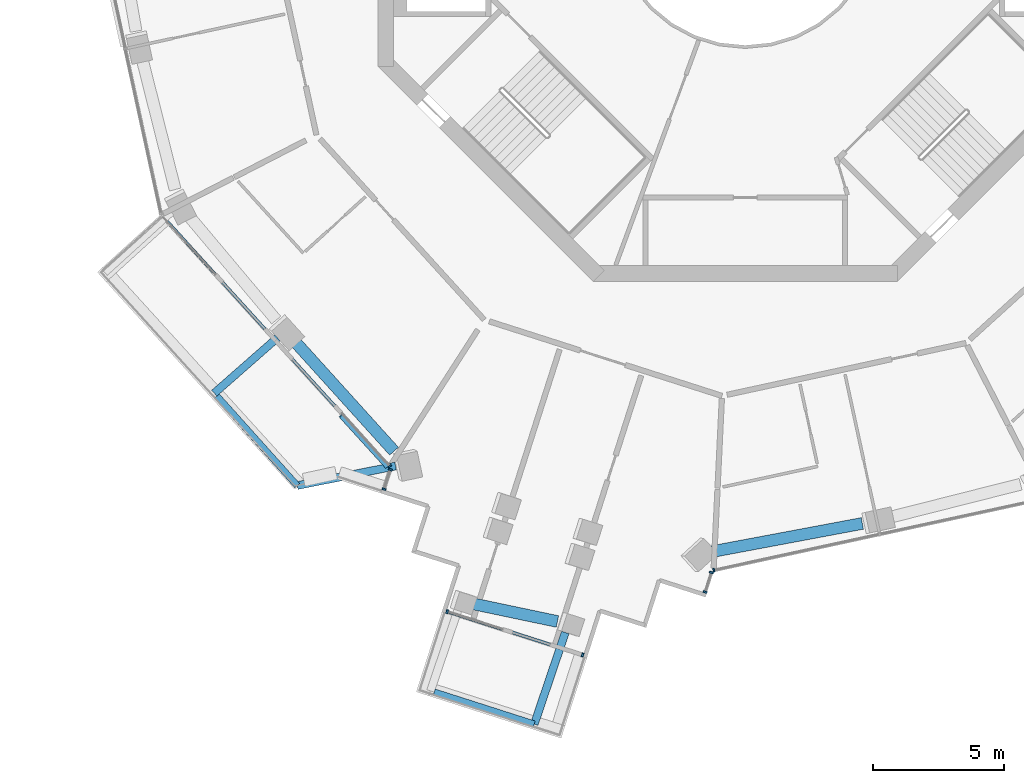
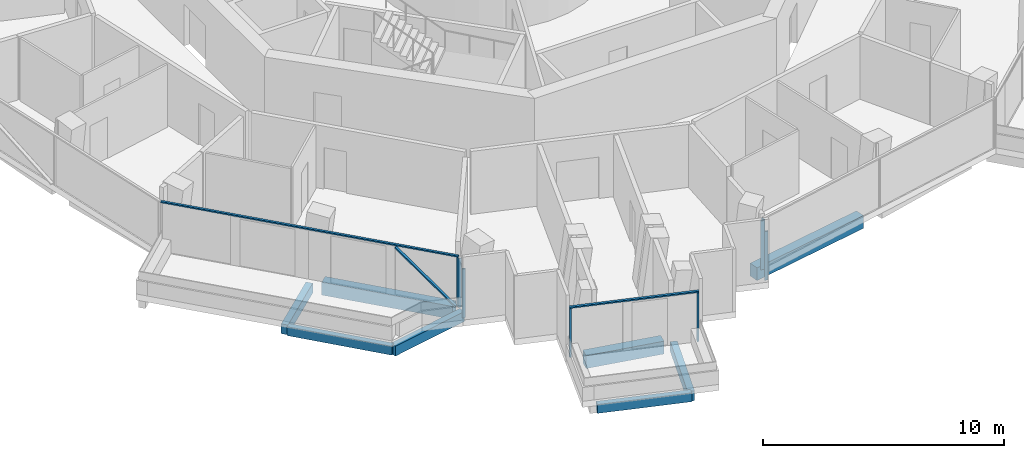
# One storey, part 2 of 23: 11 members, 8 beams, 5 elements without a shape of their own.
"""IFC4 building model written with IfcOpenShell, lengths in metres."""

from ifc_helpers import new_model, si_unit, direction, frame, origin, origin_2d, place, context, subcontext, project, spatial, rectangle, extrude, material, layer, layer_set, material_profile, profile_set, type_object, element, aggregate, save


model = new_model("IFC4")

# Units and contexts
model_context = context("Model", 3, precision=1e-05, world=origin(), true_north=direction((0.0, 1.0)))
body_context = subcontext(model_context, "Body", "Model", "MODEL_VIEW")
ifc_project = project(units=[si_unit("LENGTHUNIT", "METRE"), si_unit("AREAUNIT", "SQUARE_METRE"), si_unit("VOLUMEUNIT", "CUBIC_METRE"), si_unit("PLANEANGLEUNIT", "RADIAN"), si_unit("MASSUNIT", "GRAM", prefix="KILO")], contexts=[model_context])

# Site, building, storey
site_placement = place(None, origin())
site = spatial("IfcSite", under=ifc_project, at=site_placement, CompositionType="ELEMENT")
building_placement = place(site_placement, origin())
building = spatial("IfcBuilding", under=site, at=building_placement, Name="Verdalira Terraces Hotel", CompositionType="ELEMENT")
storey_placement = place(building_placement, frame((0.0, 0.0, 205.5)))
storey = spatial("IfcBuildingStorey", under=building, at=storey_placement, Name="L50", CompositionType="ELEMENT", Elevation=205.5)

# Beams
ifc_material_1 = material(Name="Concrete C40", Category="concrete")
ifc_material_profile_1 = material_profile(ifc_material_1, rectangle(XDim=0.300049, YDim=0.5, at=origin_2d()), Name="RC 300X500")
ifc_profile_set_1 = profile_set([ifc_material_profile_1], Name="Concrete C40")
beam_type_1 = type_object("IfcBeamType", Name="Balcony cantilever beam RC 300X500 C40", PredefinedType="BEAM", material=ifc_profile_set_1)
beam_1_placement = place(storey_placement, frame((-17.833984, -16.147461, -0.560059), z_axis=(-0.751460517, -0.659778062, 0.0), x_axis=(0.659778062, -0.751460517, 0.0)))
element("IfcBeam", 1, at=beam_1_placement, inside=storey, type_object=beam_type_1, Name="Balcony cantilever beam R13-1", PredefinedType="BEAM", context=body_context, shape_type="SweptSolid", body=[
    extrude(rectangle(XDim=0.300049, YDim=0.5, at=origin_2d()), origin(), (0.0, 0.0, 1.0), 3.200684),
])
beam_2_placement = place(storey_placement, frame((-13.329102, -21.035889, -0.560059), z_axis=(-0.980688618, -0.195575651, 0.0), x_axis=(0.195575651, -0.980688618, 0.0)))
element("IfcBeam", 2, at=beam_2_placement, inside=storey, type_object=beam_type_1, Name="Balcony cantilever beam R13-2", PredefinedType="BEAM", context=body_context, shape_type="SweptSolid", body=[
    extrude(rectangle(XDim=0.300049, YDim=0.5, at=origin_2d()), origin(), (0.0, 0.0, 1.0), 3.822266),
])
beam_3_placement = place(storey_placement, frame((-6.857666, -27.383301, -0.560059), z_axis=(-0.320929608, -0.94710305, 0.0), x_axis=(0.94710305, -0.320929608, 0.0)))
element("IfcBeam", 3, at=beam_3_placement, inside=storey, type_object=beam_type_1, Name="Balcony cantilever beam R19-2", PredefinedType="BEAM", context=body_context, shape_type="SweptSolid", body=[
    extrude(rectangle(XDim=0.300049, YDim=0.5, at=origin_2d()), origin(), (0.0, 0.0, 1.0), 3.688721),
])
ifc_material_2 = material(Name="Concrete C40", Category="concrete")
ifc_material_profile_2 = material_profile(ifc_material_2, rectangle(XDim=0.25, YDim=0.449951, at=origin_2d()), Name="RC 250X450")
ifc_profile_set_2 = profile_set([ifc_material_profile_2], Name="Concrete C40")
beam_type_2 = type_object("IfcBeamType", Name="Balcony edge beam RC 250X450 C40", PredefinedType="BEAM", material=ifc_profile_set_2)
beam_4_placement = place(storey_placement, frame((-20.13916, -18.37085, -0.534912), z_axis=(0.667781159, -0.744357659, 0.0), x_axis=(0.744357659, 0.667781159, 0.0)))
element("IfcBeam", 4, at=beam_4_placement, inside=storey, type_object=beam_type_2, Name="Balcony edge beam R13-1", PredefinedType="BEAM", context=body_context, shape_type="SweptSolid", body=[
    extrude(rectangle(XDim=0.25, YDim=0.449951, at=origin_2d()), origin(), (0.0, 0.0, 1.0), 4.584717),
])
beam_5_placement = place(storey_placement, frame((-11.85376, -29.656006, -0.534912), z_axis=(0.952349763, -0.30500808, 0.0), x_axis=(0.30500808, 0.952349763, 0.0)))
element("IfcBeam", 5, at=beam_5_placement, inside=storey, type_object=beam_type_2, Name="Balcony edge beam R19-1", PredefinedType="BEAM", context=body_context, shape_type="SweptSolid", body=[
    extrude(rectangle(XDim=0.25, YDim=0.449951, at=origin_2d()), origin(), (0.0, 0.0, 1.0), 4.00293),
])

# Curtain wall, member
ifc_material_3 = material(Name="Clear glass", Category="glass")
ifc_layer_1 = layer(ifc_material_3, 0.14990234375)
ifc_layer_set_1 = layer_set([ifc_layer_1], Name="CW1 curtain wall")
curtain_wall_type_1 = type_object("IfcCurtainWallType", Name="CW1 curtain wall", PredefinedType="NOTDEFINED", material=ifc_layer_set_1)
curtain_wall_1_placement = place(storey_placement, origin())
curtain_wall_1 = element("IfcCurtainWall", 6, at=curtain_wall_1_placement, inside=storey, type_object=curtain_wall_type_1, Name="CW1 curtain wall L50 edge 13", PredefinedType="NOTDEFINED")
ifc_material_4 = material(Name="Terracotta frame", Category="masonry")
ifc_material_profile_3 = material_profile(ifc_material_4, rectangle(XDim=0.060059, YDim=0.149902, at=origin_2d()), Name="MU 60x150")
ifc_profile_set_3 = profile_set([ifc_material_profile_3], Name="Terracotta frame")
member_type_1 = type_object("IfcMemberType", Name="CW1 mullion 60x150", PredefinedType="MULLION", material=ifc_profile_set_3)
member_1_placement = place(storey_placement, frame((-13.554443, -21.046875, 0.0), z_axis=(0.0, 0.0, 1.0), x_axis=(0.672237605, -0.740335466, 0.0)))
member_1 = element("IfcMember", 7, at=member_1_placement, type_object=member_type_1, Name="CW1 mullion", PredefinedType="MULLION", context=body_context, shape_type="SweptSolid", body=[
    extrude(rectangle(XDim=0.060059, YDim=0.149902, at=origin_2d()), origin(), (0.0, 0.0, 1.0), 2.475098),
])

curtain_wall_2_placement = place(storey_placement, origin())
curtain_wall_2 = element("IfcCurtainWall", 8, at=curtain_wall_2_placement, inside=storey, type_object=curtain_wall_type_1, Name="CW1 curtain wall L50 edge 25", PredefinedType="NOTDEFINED")
member_2_placement = place(storey_placement, frame((-1.195801, -25.005371, 0.0), z_axis=(0.0, 0.0, 1.0), x_axis=(0.977268124, 0.21200711, 0.0)))
member_2 = element("IfcMember", 9, at=member_2_placement, type_object=member_type_1, Name="CW1 mullion", PredefinedType="MULLION", context=body_context, shape_type="SweptSolid", body=[
    extrude(rectangle(XDim=0.060059, YDim=0.149902, at=origin_2d()), origin(), (0.0, 0.0, 1.0), 2.475098),
])
aggregate(curtain_wall_2, [member_2])

# Member
ifc_material_5 = material(Name="Terracotta frame", Category="masonry")
ifc_material_profile_4 = material_profile(ifc_material_5, rectangle(XDim=0.110107, YDim=0.064941, at=origin_2d()), Name="TR 65x110")
ifc_profile_set_4 = profile_set([ifc_material_profile_4], Name="Terracotta frame")
member_type_2 = type_object("IfcMemberType", Name="CW1 transom 65x110", PredefinedType="USERDEFINED", material=ifc_profile_set_4)
member_3_placement = place(storey_placement, frame((-22.246338, -11.474609, 2.507568), z_axis=(0.672246049, -0.740327799, 0.0), x_axis=(0.740327799, 0.672246049, 0.0)))
member_3 = element("IfcMember", 10, at=member_3_placement, type_object=member_type_2, Name="CW1 transom", ObjectType="TRANSOM", PredefinedType="USERDEFINED", context=body_context, shape_type="SweptSolid", body=[
    extrude(rectangle(XDim=0.110107, YDim=0.064941, at=origin_2d()), origin(), (0.0, 0.0, 1.0), 12.959717),
])

# Curtain wall, members
ifc_material_6 = material(Name="Clear glass", Category="glass")
ifc_layer_2 = layer(ifc_material_6, 0.14990234375)
ifc_layer_set_2 = layer_set([ifc_layer_2], Name="CW2 curtain wall")
curtain_wall_type_2 = type_object("IfcCurtainWallType", Name="CW2 curtain wall", PredefinedType="NOTDEFINED", material=ifc_layer_set_2)
curtain_wall_3_placement = place(storey_placement, origin())
curtain_wall_3 = element("IfcCurtainWall", 11, at=curtain_wall_3_placement, inside=storey, type_object=curtain_wall_type_2, Name="CW2 curtain wall L50 edge 14", PredefinedType="NOTDEFINED")
ifc_material_7 = material(Name="Terracotta frame", Category="masonry")
ifc_material_profile_5 = material_profile(ifc_material_7, rectangle(XDim=0.070068, YDim=0.149902, at=origin_2d()), Name="MU 70x150")
ifc_profile_set_5 = profile_set([ifc_material_profile_5], Name="Terracotta frame")
member_type_3 = type_object("IfcMemberType", Name="CW2 mullion 70x150", PredefinedType="MULLION", material=ifc_profile_set_5)
member_4_placement = place(storey_placement, frame((-13.529053, -21.175781, 0.0), z_axis=(0.0, 0.0, 1.0), x_axis=(-0.305030519, -0.952342576, 0.0)))
member_4 = element("IfcMember", 12, at=member_4_placement, type_object=member_type_3, Name="CW2 mullion", PredefinedType="MULLION", context=body_context, shape_type="SweptSolid", body=[
    extrude(rectangle(XDim=0.070068, YDim=0.149902, at=origin_2d()), origin(), (0.0, 0.0, 1.0), 2.475098),
])
member_5_placement = place(storey_placement, frame((-13.766846, -21.918457, 0.0), z_axis=(0.0, 0.0, 1.0), x_axis=(-0.305030519, -0.952342576, 0.0)))
member_5 = element("IfcMember", 13, at=member_5_placement, type_object=member_type_3, Name="CW2 mullion", PredefinedType="MULLION", context=body_context, shape_type="SweptSolid", body=[
    extrude(rectangle(XDim=0.070068, YDim=0.149902, at=origin_2d()), origin(), (0.0, 0.0, 1.0), 2.475098),
])
aggregate(curtain_wall_3, [member_4, member_5])

curtain_wall_4_placement = place(storey_placement, origin())
curtain_wall_4 = element("IfcCurtainWall", 14, at=curtain_wall_4_placement, inside=storey, type_object=curtain_wall_type_2, Name="CW2 curtain wall L50 edge 24", PredefinedType="NOTDEFINED")
member_6_placement = place(storey_placement, frame((-1.529297, -25.838135, 0.0), z_axis=(0.0, 0.0, 1.0), x_axis=(0.305030519, 0.952342576, 0.0)))
member_6 = element("IfcMember", 15, at=member_6_placement, type_object=member_type_3, Name="CW2 mullion", PredefinedType="MULLION", context=body_context, shape_type="SweptSolid", body=[
    extrude(rectangle(XDim=0.070068, YDim=0.149902, at=origin_2d()), origin(), (0.0, 0.0, 1.0), 2.475098),
])
member_7_placement = place(storey_placement, frame((-1.291504, -25.095459, 0.0), z_axis=(0.0, 0.0, 1.0), x_axis=(0.305030519, 0.952342576, 0.0)))
member_7 = element("IfcMember", 16, at=member_7_placement, type_object=member_type_3, Name="CW2 mullion", PredefinedType="MULLION", context=body_context, shape_type="SweptSolid", body=[
    extrude(rectangle(XDim=0.070068, YDim=0.149902, at=origin_2d()), origin(), (0.0, 0.0, 1.0), 2.475098),
])
aggregate(curtain_wall_4, [member_6, member_7])

ifc_material_8 = material(Name="Clear glass", Category="glass")
ifc_layer_3 = layer(ifc_material_8, 0.14990234375)
ifc_layer_set_3 = layer_set([ifc_layer_3], Name="CW3 curtain wall")
curtain_wall_type_3 = type_object("IfcCurtainWallType", Name="CW3 curtain wall", PredefinedType="NOTDEFINED", material=ifc_layer_set_3)
curtain_wall_5_placement = place(storey_placement, origin())
curtain_wall_5 = element("IfcCurtainWall", 17, at=curtain_wall_5_placement, inside=storey, type_object=curtain_wall_type_3, Name="CW3 curtain wall L50 edge 19", PredefinedType="NOTDEFINED")
ifc_material_9 = material(Name="Terracotta frame", Category="masonry")
ifc_material_profile_6 = material_profile(ifc_material_9, rectangle(XDim=0.080078, YDim=0.149902, at=origin_2d()), Name="MU 80x150")
ifc_profile_set_6 = profile_set([ifc_material_profile_6], Name="Terracotta frame")
member_type_4 = type_object("IfcMemberType", Name="CW3 mullion 80x150", PredefinedType="MULLION", material=ifc_profile_set_6)
member_8_placement = place(storey_placement, frame((-11.360596, -26.584961, 0.0), z_axis=(0.0, 0.0, 1.0), x_axis=(0.952342576, -0.305030519, 0.0)))
member_8 = element("IfcMember", 18, at=member_8_placement, type_object=member_type_4, Name="CW3 mullion", PredefinedType="MULLION", context=body_context, shape_type="SweptSolid", body=[
    extrude(rectangle(XDim=0.080078, YDim=0.149902, at=origin_2d()), origin(), (0.0, 0.0, 1.0), 2.475098),
])
member_9_placement = place(storey_placement, frame((-6.198975, -28.238281, 0.0), z_axis=(0.0, 0.0, 1.0), x_axis=(0.952342576, -0.305030519, 0.0)))
member_9 = element("IfcMember", 19, at=member_9_placement, type_object=member_type_4, Name="CW3 mullion", PredefinedType="MULLION", context=body_context, shape_type="SweptSolid", body=[
    extrude(rectangle(XDim=0.080078, YDim=0.149902, at=origin_2d()), origin(), (0.0, 0.0, 1.0), 2.475098),
])
ifc_material_10 = material(Name="Terracotta frame", Category="masonry")
ifc_material_profile_7 = material_profile(ifc_material_10, rectangle(XDim=0.120117, YDim=0.064941, at=origin_2d()), Name="TR 65x120")
ifc_profile_set_7 = profile_set([ifc_material_profile_7], Name="Terracotta frame")
member_type_5 = type_object("IfcMemberType", Name="CW3 transom 65x120", PredefinedType="USERDEFINED", material=ifc_profile_set_7)
member_10_placement = place(storey_placement, frame((-11.398682, -26.572754, 2.507568), z_axis=(0.95233752, -0.305046305, 0.0), x_axis=(0.305046305, 0.95233752, 0.0)))
member_10 = element("IfcMember", 20, at=member_10_placement, type_object=member_type_5, Name="CW3 transom", ObjectType="TRANSOM", PredefinedType="USERDEFINED", context=body_context, shape_type="SweptSolid", body=[
    extrude(rectangle(XDim=0.120117, YDim=0.064941, at=origin_2d()), origin(), (0.0, 0.0, 1.0), 5.5),
])
aggregate(curtain_wall_5, [member_8, member_9, member_10])

# Member
ifc_material_11 = material(Name="Terracotta frame", Category="masonry")
ifc_material_profile_8 = material_profile(ifc_material_11, rectangle(XDim=0.149902, YDim=0.060059, at=origin_2d()), Name="GB 60x150")
ifc_profile_set_8 = profile_set([ifc_material_profile_8], Name="Terracotta frame")
member_type_6 = type_object("IfcMemberType", Name="Diagonal glazing bar 60x150", PredefinedType="USERDEFINED", material=ifc_profile_set_8)
member_11_placement = place(storey_placement, frame((-15.424072, -19.120117, 2.45166), z_axis=(0.493735077, -0.543749977, -0.678646916), x_axis=(0.740335094, 0.672238015, 0.0)))
member_11 = element("IfcMember", 21, at=member_11_placement, type_object=member_type_6, Name="Diagonal glazing bar", ObjectType="GLAZING BAR", PredefinedType="USERDEFINED", context=body_context, shape_type="SweptSolid", body=[
    extrude(rectangle(XDim=0.149902, YDim=0.060059, at=origin_2d()), origin(), (0.0, 0.0, 1.0), 3.578125),
])

aggregate(curtain_wall_1, [member_1, member_3, member_11])

# Beams
ifc_material_12 = material(Name="Concrete C50", Category="concrete")
ifc_material_profile_9 = material_profile(ifc_material_12, rectangle(XDim=0.449951, YDim=0.649902, at=origin_2d()), Name="RC 450X650")
ifc_profile_set_9 = profile_set([ifc_material_profile_9], Name="Concrete C50")
beam_type_3 = type_object("IfcBeamType", Name="Spandrel beam RC 450X650 C50", PredefinedType="SPANDREL", material=ifc_profile_set_9)
beam_6_placement = place(storey_placement, frame((-17.213379, -16.237549, -0.63501), z_axis=(0.670502084, -0.741907646, 0.0), x_axis=(0.741907646, 0.670502084, 0.0)))
element("IfcBeam", 22, at=beam_6_placement, inside=storey, type_object=beam_type_3, Name="Spandrel beam B09", PredefinedType="SPANDREL", context=body_context, shape_type="SweptSolid", body=[
    extrude(rectangle(XDim=0.449951, YDim=0.649902, at=origin_2d()), origin(), (0.0, 0.0, 1.0), 5.706543),
])
beam_7_placement = place(storey_placement, frame((-10.490723, -26.263916, -0.63501), z_axis=(0.978666043, -0.205457479, 0.0), x_axis=(0.205457479, 0.978666043, 0.0)))
element("IfcBeam", 23, at=beam_7_placement, inside=storey, type_object=beam_type_3, Name="Spandrel beam B10", PredefinedType="SPANDREL", context=body_context, shape_type="SweptSolid", body=[
    extrude(rectangle(XDim=0.449951, YDim=0.649902, at=origin_2d()), origin(), (0.0, 0.0, 1.0), 3.404297),
])
beam_8_placement = place(storey_placement, frame((-1.249268, -24.296387, -0.63501), z_axis=(0.982869335, 0.184303747, 0.0), x_axis=(-0.184303747, 0.982869335, 0.0)))
element("IfcBeam", 24, at=beam_8_placement, inside=storey, type_object=beam_type_3, Name="Spandrel beam B11", PredefinedType="SPANDREL", context=body_context, shape_type="SweptSolid", body=[
    extrude(rectangle(XDim=0.449951, YDim=0.649902, at=origin_2d()), origin(), (0.0, 0.0, 1.0), 5.813965),
])

save(model, "model.ifc")
